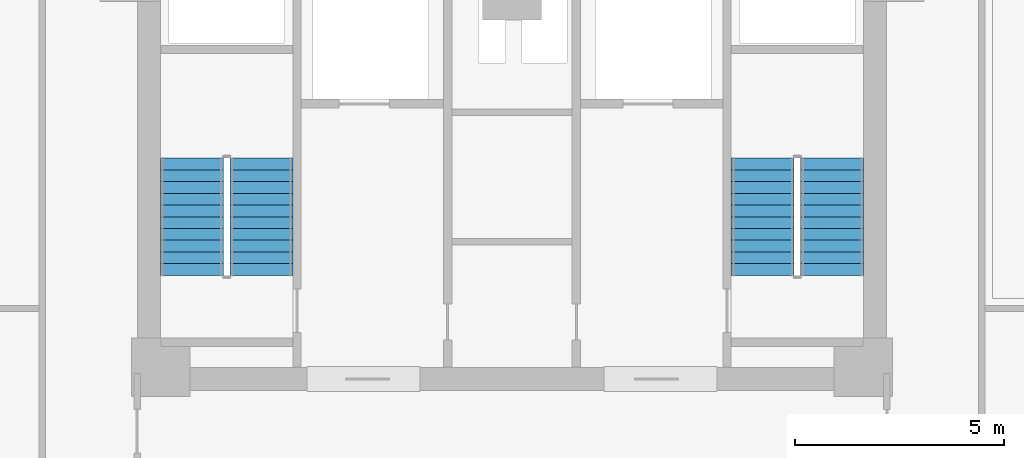
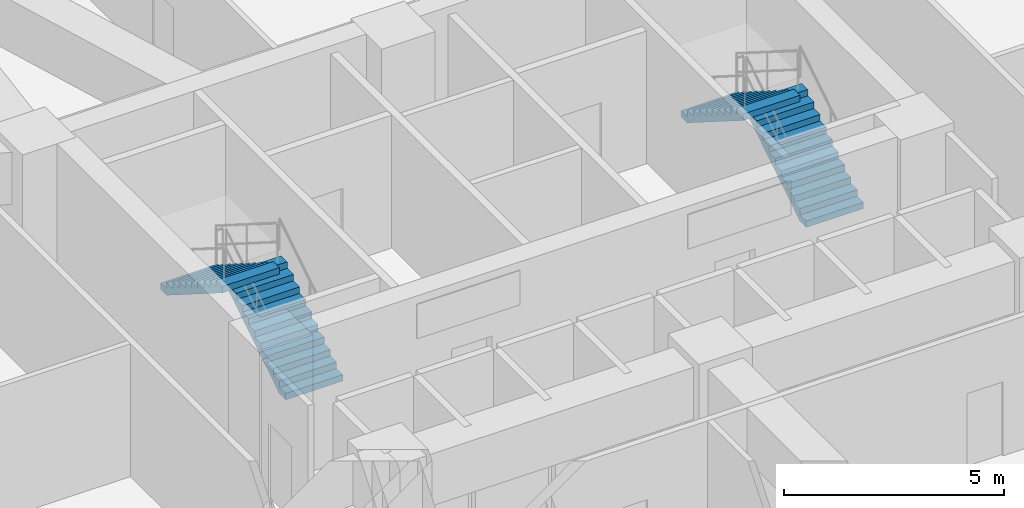
# One storey, part 17 of 20: 4 stair flights, 2 elements without a shape of their own.
"""IFC4 building model written with IfcOpenShell, lengths in metres."""

from ifc_helpers import new_model, si_unit, derived_unit, direction, frame, origin, place, context, subcontext, project, spatial, polyline, outline, extrude, material, type_object, element, aggregate, save


model = new_model("IFC4")

# Units and contexts
model_context = context("Model", 3, precision=1e-05, world=origin(), true_north=direction((0.0, 1.0)))
body_context = subcontext(model_context, "Body", "Model", "MODEL_VIEW")
ifc_project = project(units=[si_unit("LENGTHUNIT", "METRE"), si_unit("AREAUNIT", "SQUARE_METRE"), si_unit("VOLUMEUNIT", "CUBIC_METRE"), si_unit("PLANEANGLEUNIT", "RADIAN"), si_unit("MASSUNIT", "GRAM", prefix="KILO"), derived_unit("THERMALTRANSMITTANCEUNIT", [(si_unit("POWERUNIT", "WATT"), 1), (si_unit("LENGTHUNIT", "METRE"), -2), (si_unit("THERMODYNAMICTEMPERATUREUNIT", "KELVIN"), -1)])], contexts=[model_context])

# Site, building, storey
site_placement = place(None, origin())
site = spatial("IfcSite", under=ifc_project, at=site_placement, CompositionType="ELEMENT")
building_placement = place(site_placement, origin())
building = spatial("IfcBuilding", under=site, at=building_placement, Name="Korsvarv Bourse and Concert Hall", CompositionType="ELEMENT")
storey_placement = place(building_placement, frame((0.0, 0.0, 31.800048828125)))
storey = spatial("IfcBuildingStorey", under=building, at=storey_placement, Name="L07", CompositionType="ELEMENT", Elevation=31.800048828125)

# Stair, stair flights
ifc_material = material(Name="Precast concrete C45/55", Category="concrete")
stair_type = type_object("IfcStairType", Name="STR-TYPE-03", PredefinedType="HALF_TURN_STAIR", material=ifc_material)
stair_1_placement = place(storey_placement, origin())
stair_1 = element("IfcStair", 1, at=stair_1_placement, inside=storey, type_object=stair_type, Name="L07 Tower West Exit Stair ST-T1", PredefinedType="HALF_TURN_STAIR")
stair_flight_type = type_object("IfcStairFlightType", Name="FLT-TYPE-03", PredefinedType="STRAIGHT", material=ifc_material)
stair_flight_1_placement = place(storey_placement, frame((30.010009765625, 40.0, 0.0), z_axis=(0.0, 0.0, 1.0), x_axis=(0.0, 1.0, 0.0)))
stair_flight_1 = element("IfcStairFlight", 2, at=stair_flight_1_placement, type_object=stair_flight_type, Name="ST-T1 flight 1", NumberOfRisers=11, NumberOfTreads=10, PredefinedType="STRAIGHT", RiserHeight=0.177272727, TreadLength=0.28, context=body_context, shape_type="SweptSolid", body=[
    extrude(outline(polyline([(0.0, 0.0), (0.0, 0.17724609375), (0.280029296875, 0.17724609375), (0.280029296875, 0.3544921875), (0.56005859375, 0.3544921875), (0.56005859375, 0.53173828125), (0.840087890625, 0.53173828125), (0.840087890625, 0.708984375), (1.1201171875, 0.708984375), (1.1201171875, 0.886474609375), (1.39990234375, 0.886474609375), (1.39990234375, 1.063720703125), (1.679931640625, 1.063720703125), (1.679931640625, 1.240966796875), (1.9599609375, 1.240966796875), (1.9599609375, 1.418212890625), (2.239990234375, 1.418212890625), (2.239990234375, 1.595458984375), (2.52001953125, 1.595458984375), (2.52001953125, 1.772705078125), (2.800048828125, 1.772705078125), (2.800048828125, 1.949951171875), (2.800048828125, 1.59521484375), (0.2802734375, 0.0), (0.0, 0.0)])), frame((0.0, 0.75, 0.0), z_axis=(0.0, -1.0, 0.0), x_axis=(1.0, 0.0, 0.0)), (0.0, 0.0, 1.0), 1.5),
])
stair_flight_2_placement = place(storey_placement, frame((28.35009765625, 42.800048828125, 1.949951171875), z_axis=(0.0, 0.0, 1.0), x_axis=(0.0, -1.0, 0.0)))
stair_flight_2 = element("IfcStairFlight", 3, at=stair_flight_2_placement, type_object=stair_flight_type, Name="ST-T1 flight 2", NumberOfRisers=11, NumberOfTreads=10, PredefinedType="STRAIGHT", RiserHeight=0.177272727, TreadLength=0.28, context=body_context, shape_type="SweptSolid", body=[
    extrude(outline(polyline([(0.0, 0.0), (0.0, 0.17724609375), (0.280029296875, 0.17724609375), (0.280029296875, 0.3544921875), (0.56005859375, 0.3544921875), (0.56005859375, 0.53173828125), (0.840087890625, 0.53173828125), (0.840087890625, 0.708984375), (1.1201171875, 0.708984375), (1.1201171875, 0.886474609375), (1.39990234375, 0.886474609375), (1.39990234375, 1.063720703125), (1.679931640625, 1.063720703125), (1.679931640625, 1.240966796875), (1.9599609375, 1.240966796875), (1.9599609375, 1.418212890625), (2.239990234375, 1.418212890625), (2.239990234375, 1.595458984375), (2.52001953125, 1.595458984375), (2.52001953125, 1.772705078125), (2.800048828125, 1.772705078125), (2.800048828125, 1.949951171875), (2.800048828125, 1.59521484375), (0.2802734375, 0.0), (0.0, 0.0)])), frame((0.0, 0.75, 0.0), z_axis=(0.0, -1.0, 0.0), x_axis=(1.0, 0.0, 0.0)), (0.0, 0.0, 1.0), 1.5),
])
aggregate(stair_1, [stair_flight_1, stair_flight_2])

stair_2_placement = place(storey_placement, origin())
stair_2 = element("IfcStair", 4, at=stair_2_placement, inside=storey, type_object=stair_type, Name="L07 Tower East Exit Stair ST-T2", PredefinedType="HALF_TURN_STAIR")
stair_flight_3_placement = place(storey_placement, frame((43.64990234375, 40.0, 0.0), z_axis=(0.0, 0.0, 1.0), x_axis=(0.0, 1.0, 0.0)))
stair_flight_3 = element("IfcStairFlight", 5, at=stair_flight_3_placement, type_object=stair_flight_type, Name="ST-T2 flight 1", NumberOfRisers=11, NumberOfTreads=10, PredefinedType="STRAIGHT", RiserHeight=0.177272727, TreadLength=0.28, context=body_context, shape_type="SweptSolid", body=[
    extrude(outline(polyline([(0.0, 0.0), (0.0, 0.17724609375), (0.280029296875, 0.17724609375), (0.280029296875, 0.3544921875), (0.56005859375, 0.3544921875), (0.56005859375, 0.53173828125), (0.840087890625, 0.53173828125), (0.840087890625, 0.708984375), (1.1201171875, 0.708984375), (1.1201171875, 0.886474609375), (1.39990234375, 0.886474609375), (1.39990234375, 1.063720703125), (1.679931640625, 1.063720703125), (1.679931640625, 1.240966796875), (1.9599609375, 1.240966796875), (1.9599609375, 1.418212890625), (2.239990234375, 1.418212890625), (2.239990234375, 1.595458984375), (2.52001953125, 1.595458984375), (2.52001953125, 1.772705078125), (2.800048828125, 1.772705078125), (2.800048828125, 1.949951171875), (2.800048828125, 1.59521484375), (0.2802734375, 0.0), (0.0, 0.0)])), frame((0.0, 0.75, 0.0), z_axis=(0.0, -1.0, 0.0), x_axis=(1.0, 0.0, 0.0)), (0.0, 0.0, 1.0), 1.5),
])
stair_flight_4_placement = place(storey_placement, frame((41.989990234375, 42.800048828125, 1.949951171875), z_axis=(0.0, 0.0, 1.0), x_axis=(0.0, -1.0, 0.0)))
stair_flight_4 = element("IfcStairFlight", 6, at=stair_flight_4_placement, type_object=stair_flight_type, Name="ST-T2 flight 2", NumberOfRisers=11, NumberOfTreads=10, PredefinedType="STRAIGHT", RiserHeight=0.177272727, TreadLength=0.28, context=body_context, shape_type="SweptSolid", body=[
    extrude(outline(polyline([(0.0, 0.0), (0.0, 0.17724609375), (0.280029296875, 0.17724609375), (0.280029296875, 0.3544921875), (0.56005859375, 0.3544921875), (0.56005859375, 0.53173828125), (0.840087890625, 0.53173828125), (0.840087890625, 0.708984375), (1.1201171875, 0.708984375), (1.1201171875, 0.886474609375), (1.39990234375, 0.886474609375), (1.39990234375, 1.063720703125), (1.679931640625, 1.063720703125), (1.679931640625, 1.240966796875), (1.9599609375, 1.240966796875), (1.9599609375, 1.418212890625), (2.239990234375, 1.418212890625), (2.239990234375, 1.595458984375), (2.52001953125, 1.595458984375), (2.52001953125, 1.772705078125), (2.800048828125, 1.772705078125), (2.800048828125, 1.949951171875), (2.800048828125, 1.59521484375), (0.2802734375, 0.0), (0.0, 0.0)])), frame((0.0, 0.75, 0.0), z_axis=(0.0, -1.0, 0.0), x_axis=(1.0, 0.0, 0.0)), (0.0, 0.0, 1.0), 1.5),
])
aggregate(stair_2, [stair_flight_3, stair_flight_4])

save(model, "model.ifc")
